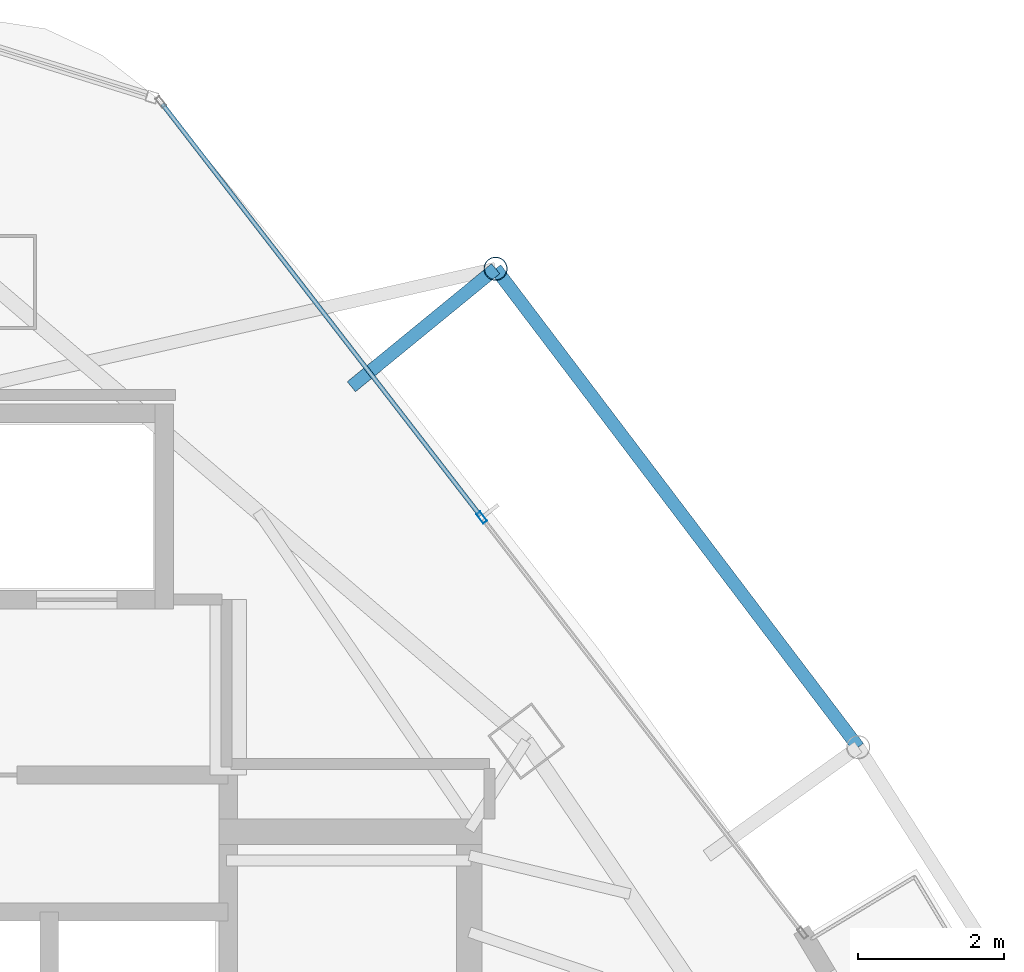
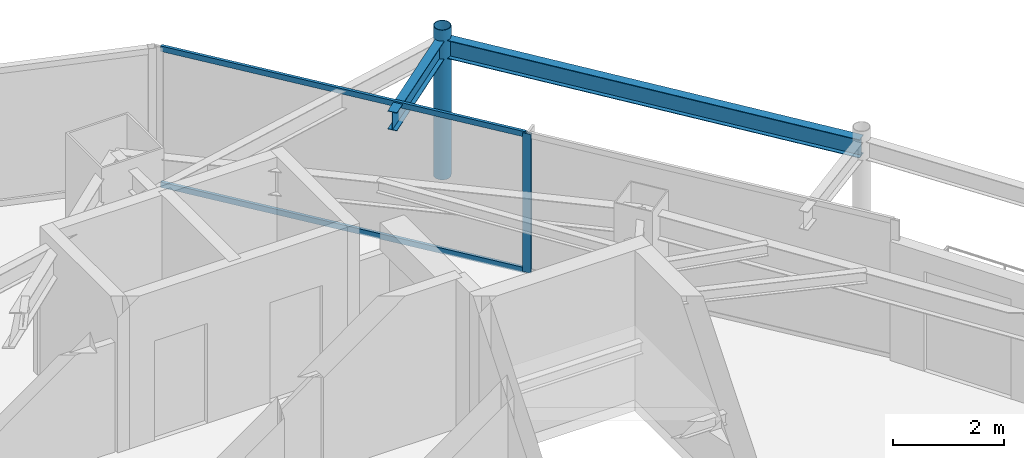
# One storey, part 22 of 29: 4 members, 2 beams, 1 element without a shape of its own.
"""IFC4 building model written with IfcOpenShell, lengths in metres."""

import ifcopenshell
import ifcopenshell.guid

model = None  # the IFC model being written
_history = None  # IfcOwnerHistory: only IFC2X3 demands one
_inside = {}  # id of a spatial element -> (the spatial element, [elements in it])
_under = {}  # id of a project, library or spatial element -> (it, [spatial elements below it])
_declared = {}  # id of a project -> (the project, [libraries it declares])
_typed = {}  # id of a type object -> (the type object, [elements of that type])
_made_of = {}  # id of a material, layer set ... -> (it, [elements and type objects made of it])


def new_model(schema):
    """Start an empty IFC model of exactly this schema.

    Asked for "IFC4X3", IfcOpenShell would pick the latest addendum, in which some entities
    have other attributes; the version numbers below select the first issue.
    IFC2X3 requires an IfcOwnerHistory on every rooted entity: one is made here for all.
    """
    global model, _history
    if schema == "IFC4X3":
        model = ifcopenshell.file(schema_version=(4, 3, 0, 0))
    else:
        model = ifcopenshell.file(schema=schema)
    _inside.clear()
    _under.clear()
    _declared.clear()
    _typed.clear()
    _made_of.clear()
    _history = None
    if model.schema == "IFC2X3":
        org = make("IfcOrganization", Name="unknown")
        user = make(
            "IfcPersonAndOrganization",
            ThePerson=make("IfcPerson", FamilyName="unknown"),
            TheOrganization=org,
        )
        app = make(
            "IfcApplication",
            ApplicationDeveloper=org,
            Version="unknown",
            ApplicationFullName="unknown",
            ApplicationIdentifier="unknown",
        )
        _history = make(
            "IfcOwnerHistory",
            OwningUser=user,
            OwningApplication=app,
            ChangeAction="ADDED",
            CreationDate=0,
        )
    return model


def make(cls, **values):
    """One entity of the class cls with the attributes given. An attribute that is None is left unset."""
    return model.create_entity(
        cls, **{name: value for name, value in values.items() if value is not None}
    )


def rooted(cls, **values):
    """An entity with a GlobalId (a new one), such as an element, a storey or a relation."""
    return make(cls, GlobalId=ifcopenshell.guid.new(), OwnerHistory=_history, **values)


def si_unit(unit_type, name, prefix=None):
    """IfcSIUnit, for example si_unit("LENGTHUNIT", "METRE", prefix="MILLI")."""
    return make("IfcSIUnit", UnitType=unit_type, Prefix=prefix, Name=name)


def assignment(units):
    """IfcUnitAssignment: the units of a project."""
    return None if units is None else make("IfcUnitAssignment", Units=units)


def point(xyz):
    """IfcCartesianPoint."""
    return None if xyz is None else make("IfcCartesianPoint", Coordinates=xyz)


def direction(xyz):
    """IfcDirection."""
    return None if xyz is None else make("IfcDirection", DirectionRatios=xyz)


def frame(location, z_axis=None, x_axis=None):
    """IfcAxis2Placement3D, a coordinate frame: its origin and axes. An axis left out is left unset."""
    return make(
        "IfcAxis2Placement3D",
        Location=point(location),
        Axis=direction(z_axis),
        RefDirection=direction(x_axis),
    )


def frame_2d(location, x_axis=None):
    """IfcAxis2Placement2D, a coordinate frame in the plane: its origin and x axis."""
    return make(
        "IfcAxis2Placement2D", Location=point(location), RefDirection=direction(x_axis)
    )


def origin():
    """The frame at (0, 0, 0) with its axes left unset."""
    return frame((0.0, 0.0, 0.0))


def origin_2d():
    """The frame at (0, 0) in the plane with its x axis left unset."""
    return frame_2d((0.0, 0.0))


def place(relative_to, where):
    """IfcLocalPlacement: puts the frame where relative to a parent placement (None: the world)."""
    return make(
        "IfcLocalPlacement", PlacementRelTo=relative_to, RelativePlacement=where
    )


def context(
    kind, dimensions, precision=None, world=None, true_north=None, identifier=None
):
    """IfcGeometricRepresentationContext, for example the 3D "Model" context."""
    return make(
        "IfcGeometricRepresentationContext",
        ContextIdentifier=identifier,
        ContextType=kind,
        CoordinateSpaceDimension=dimensions,
        Precision=precision,
        WorldCoordinateSystem=world,
        TrueNorth=true_north,
    )


def subcontext(parent, identifier, kind, view, scale=None):
    """IfcGeometricRepresentationSubContext, for example "Body" below "Model"."""
    return make(
        "IfcGeometricRepresentationSubContext",
        ContextIdentifier=identifier,
        ContextType=kind,
        ParentContext=parent,
        TargetScale=scale,
        TargetView=view,
    )


def project(units=None, contexts=None):
    """IfcProject with its units and contexts."""
    return rooted(
        "IfcProject",
        Name="project",
        RepresentationContexts=contexts,
        UnitsInContext=assignment(units),
    )


def spatial(cls, under=None, at=None, **own):
    """A site, building, storey or space (cls), placed at a placement, below another one or the project."""
    s = rooted(cls, ObjectPlacement=at, **own)
    if under is not None:
        _under.setdefault(under.id(), (under, []))[1].append(s)
    return s


def profile(cls, at=None, kind="AREA", **sizes):
    """A parametric profile (cls). Its sizes go by their IFC names, for example OverallWidth=200.0."""
    return make(cls, ProfileType=kind, Position=at, **sizes)


def hollow_rectangle(**sizes):
    """IfcRectangleHollowProfileDef."""
    return profile("IfcRectangleHollowProfileDef", **sizes)


def hollow_circle(**sizes):
    """IfcCircleHollowProfileDef."""
    return profile("IfcCircleHollowProfileDef", **sizes)


def i_section(**sizes):
    """IfcIShapeProfileDef."""
    return profile("IfcIShapeProfileDef", **sizes)


def extrude(swept, where, along, depth):
    """IfcExtrudedAreaSolid: the profile swept, set in the frame where, extruded along a direction by depth."""
    return make(
        "IfcExtrudedAreaSolid",
        SweptArea=swept,
        Position=where,
        ExtrudedDirection=direction(along),
        Depth=depth,
    )


def shape(context_of_items, identifier, shape_type, items):
    """IfcShapeRepresentation: the items that make up one representation, for example the "Body"."""
    return make(
        "IfcShapeRepresentation",
        ContextOfItems=context_of_items,
        RepresentationIdentifier=identifier,
        RepresentationType=shape_type,
        Items=items,
    )


def material(Name=None, Category=None):
    """IfcMaterial."""
    return make("IfcMaterial", Name=Name, Category=Category)


def layer(
    of_material, thickness, ventilated=None, Name=None, Category=None, Priority=None
):
    """IfcMaterialLayer: one layer of a wall or slab, of a material (None: an air gap)."""
    return make(
        "IfcMaterialLayer",
        Material=of_material,
        LayerThickness=thickness,
        IsVentilated=ventilated,
        Name=Name,
        Category=Category,
        Priority=Priority,
    )


def layer_set(layers, Name=None):
    """IfcMaterialLayerSet."""
    return make("IfcMaterialLayerSet", MaterialLayers=layers, LayerSetName=Name)


def material_profile(
    of_material, cross_section, Name=None, Category=None, Priority=None
):
    """IfcMaterialProfile: a cross section and its material."""
    return make(
        "IfcMaterialProfile",
        Name=Name,
        Material=of_material,
        Profile=cross_section,
        Priority=Priority,
        Category=Category,
    )


def profile_set(profiles, Name=None, composite=None):
    """IfcMaterialProfileSet."""
    return make(
        "IfcMaterialProfileSet",
        Name=Name,
        MaterialProfiles=profiles,
        CompositeProfile=composite,
    )


def made_of(thing, what):
    """Note that an element or type object is made of a material, layer set ...; save() writes the relation."""
    if what is not None:
        _made_of.setdefault(what.id(), (what, []))[1].append(thing)
    return thing


def type_object(cls, material=None, **own):
    """A type object (cls), such as IfcWallType, which elements share."""
    return made_of(rooted(cls, **own), material)


def element(
    cls,
    number,
    at=None,
    inside=None,
    cuts=None,
    type_object=None,
    material=None,
    context=None,
    identifier="Body",
    shape_type=None,
    held_by="IfcProductDefinitionShape",
    body=None,
    shapes=None,
    **own,
):
    """One element of the class cls, such as IfcWall. Its Tag is "e" and its number.

    at: its placement. inside: the storey or other place that contains it. cuts: it is an
    opening in that element (IfcRelVoidsElement). A single representation is given by context,
    identifier, shape_type and body (its items); several are given by shapes. held_by: the class
    of the entity that holds the representations. save() writes the other relations.
    """
    e = rooted(cls, Tag="e%d" % number, ObjectPlacement=at, **own)
    if body is not None:
        shapes = [shape(context, identifier, shape_type, body)]
    if shapes is not None:
        e.Representation = make(held_by, Representations=shapes)
    if inside is not None:
        _inside.setdefault(inside.id(), (inside, []))[1].append(e)
    if cuts is not None:
        rooted(
            "IfcRelVoidsElement", RelatingBuildingElement=cuts, RelatedOpeningElement=e
        )
    if type_object is not None:
        _typed.setdefault(type_object.id(), (type_object, []))[1].append(e)
    return made_of(e, material)


def aggregate(whole, parts):
    """IfcRelAggregates: a whole, such as a stair, and the parts it consists of."""
    return rooted("IfcRelAggregates", RelatingObject=whole, RelatedObjects=parts)


def save(model, path):
    """Write the relations noted so far, then the file.

    IfcRelAggregates (storeys below a building ...), IfcRelContainedInSpatialStructure (elements
    in a storey), IfcRelDefinesByType, IfcRelAssociatesMaterial and IfcRelDeclares: one each for
    every whole, place, type object, material and project.
    """
    for whole, parts in _under.values():
        aggregate(whole, parts)
    for where, things in _inside.values():
        rooted(
            "IfcRelContainedInSpatialStructure",
            RelatedElements=things,
            RelatingStructure=where,
        )
    for kind, things in _typed.values():
        rooted("IfcRelDefinesByType", RelatedObjects=things, RelatingType=kind)
    for what, things in _made_of.values():
        rooted("IfcRelAssociatesMaterial", RelatedObjects=things, RelatingMaterial=what)
    for by, libraries in _declared.values():
        rooted("IfcRelDeclares", RelatingContext=by, RelatedDefinitions=libraries)
    model.write(path)


model = new_model("IFC4")

# Units and contexts
model_context = context("Model", 3, precision=1e-05, world=origin(), true_north=direction((0.0, 1.0)))
body_context = subcontext(model_context, "Body", "Model", "MODEL_VIEW")
ifc_project = project(units=[si_unit("LENGTHUNIT", "METRE"), si_unit("AREAUNIT", "SQUARE_METRE"), si_unit("VOLUMEUNIT", "CUBIC_METRE"), si_unit("PLANEANGLEUNIT", "RADIAN"), si_unit("MASSUNIT", "GRAM", prefix="KILO")], contexts=[model_context])

# Site, building, storey
site_placement = place(None, origin())
site = spatial("IfcSite", under=ifc_project, at=site_placement, CompositionType="ELEMENT")
building_placement = place(site_placement, origin())
building = spatial("IfcBuilding", under=site, at=building_placement, Name="Orvanel Arch Residences", CompositionType="ELEMENT")
storey_placement = place(building_placement, frame((0.0, 0.0, 250.25)))
storey = spatial("IfcBuildingStorey", under=building, at=storey_placement, Name="L71", CompositionType="ELEMENT", Elevation=250.25)

# Curtain wall, member
ifc_material_1 = material(Name="Bronze-anodised aluminium AA6063-T6", Category="aluminium")
ifc_layer = layer(ifc_material_1, 0.175048828125)
ifc_layer_set = layer_set([ifc_layer], Name="Bronze-anodised aluminium AA6063-T6")
curtain_wall_type = type_object("IfcCurtainWallType", Name="CW4-HI-SYS", PredefinedType="NOTDEFINED", material=ifc_layer_set)
curtain_wall_placement = place(storey_placement, origin())
curtain_wall = element("IfcCurtainWall", 1, at=curtain_wall_placement, inside=storey, type_object=curtain_wall_type, Name="L71 CW4-HI-SYS Unitised Curtain Wall", PredefinedType="NOTDEFINED")
ifc_material_profile_1 = material_profile(ifc_material_1, hollow_rectangle(XDim=0.06494140625, YDim=0.159912109375, WallThickness=0.00390625, at=origin_2d()), Name="ALU160x65x4")
ifc_profile_set_1 = profile_set([ifc_material_profile_1], Name="Bronze-anodised aluminium AA6063-T6")
member_type_1 = type_object("IfcMemberType", Name="MUL-160x65", PredefinedType="MULLION", material=ifc_profile_set_1)
member_1_placement = place(storey_placement, frame((39.744384765625, 38.174072265625, 0.0), z_axis=(0.0, 0.0, 1.0), x_axis=(-0.791336812136, -0.611380446006, 0.0)))
member_1 = element("IfcMember", 2, at=member_1_placement, type_object=member_type_1, Name="CW-S4 mullion 2", PredefinedType="MULLION", context=body_context, shape_type="SweptSolid", body=[
    extrude(hollow_rectangle(XDim=0.06494140625, YDim=0.159912109375, WallThickness=0.00390625, at=origin_2d()), origin(), (0.0, 0.0, 1.0), 3.06005859375),
])

# Beams
ifc_material_2 = material(Name="Structural steel AS/NZS 3679.1 Grade 300 (300 MPa)", Category="steel")
ifc_material_profile_2 = material_profile(ifc_material_2, i_section(OverallWidth=0.177978515625, OverallDepth=0.406005859375, WebThickness=0.0078125, FlangeThickness=0.0126953125, at=origin_2d()), Name="410UB59.7")
ifc_profile_set_2 = profile_set([ifc_material_profile_2], Name="Structural steel AS/NZS 3679.1 Grade 300 (300 MPa)")
beam_type = type_object("IfcBeamType", Name="OB-410UB-EXT", PredefinedType="SPANDREL", material=ifc_profile_set_2)
beam_1_placement = place(storey_placement, frame((44.89697265625, 35.031005859375, 2.85693359375), z_axis=(-0.604028729674, 0.796962542237, 0.0), x_axis=(-0.796962542237, -0.604028729674, 0.0)))
element("IfcBeam", 3, at=beam_1_placement, inside=storey, type_object=beam_type, Name="L71 Outer Perimeter Floor Ring Beam 11", PredefinedType="SPANDREL", context=body_context, shape_type="SweptSolid", body=[
    extrude(i_section(OverallWidth=0.177978515625, OverallDepth=0.406005859375, WebThickness=0.0078125, FlangeThickness=0.0126953125, at=origin_2d()), origin(), (0.0, 0.0, 1.0), 8.21630859375),
])
beam_2_placement = place(storey_placement, frame((37.9599609375, 39.964111328125, 2.85693359375), z_axis=(0.77399568074, 0.633190876589, 0.0), x_axis=(-0.633190876589, 0.77399568074, 0.0)))
element("IfcBeam", 4, at=beam_2_placement, inside=storey, type_object=beam_type, Name="L71 Outer Frame Radial Tie Beam 12", PredefinedType="SPANDREL", context=body_context, shape_type="SweptSolid", body=[
    extrude(i_section(OverallWidth=0.177978515625, OverallDepth=0.406005859375, WebThickness=0.0078125, FlangeThickness=0.0126953125, at=origin_2d()), origin(), (0.0, 0.0, 1.0), 2.550537109375),
])

# Member
ifc_material_3 = material(Name="Structural steel AS/NZS 1163 C350L0 (Grade 350)", Category="steel")
ifc_material_profile_3 = material_profile(ifc_material_3, hollow_circle(Radius=0.162109375, WallThickness=0.0126953125, at=origin_2d()), Name="CHS324x12.7")
ifc_profile_set_3 = profile_set([ifc_material_profile_3], Name="Structural steel AS/NZS 1163 C350L0 (Grade 350)")
member_type_2 = type_object("IfcMemberType", Name="ST-324CHS-EXT", PredefinedType="STRUT", material=ifc_profile_set_3)
member_2_placement = place(storey_placement, frame((39.93408203125, 41.5791015625, 0.0), z_axis=(0.0, 0.0, 1.0), x_axis=(1.0, 0.0, 0.0)))
element("IfcMember", 5, at=member_2_placement, inside=storey, type_object=member_type_2, Name="L71 Outer Perimeter Frame Post 12", PredefinedType="STRUT", context=body_context, shape_type="SweptSolid", body=[
    extrude(hollow_circle(Radius=0.162109375, WallThickness=0.0126953125, at=origin_2d()), origin(), (0.0, 0.0, 1.0), 3.300048828125),
])

ifc_material_profile_4 = material_profile(ifc_material_1, hollow_rectangle(XDim=0.06005859375, YDim=0.1201171875, WallThickness=0.00341796875, at=origin_2d()), Name="ALU120x60x3.5")
ifc_profile_set_4 = profile_set([ifc_material_profile_4], Name="Bronze-anodised aluminium AA6063-T6")
member_type_3 = type_object("IfcMemberType", Name="TRN-120x60", PredefinedType="USERDEFINED", material=ifc_profile_set_4)
member_3_placement = place(storey_placement, frame((39.724609375, 38.19970703125, 0.030029296875), z_axis=(-0.611375262604, 0.791340816763, 0.0), x_axis=(-0.791340816763, -0.611375262604, 0.0)))
member_3 = element("IfcMember", 6, at=member_3_placement, type_object=member_type_3, Name="CW-S4 transom 2.1", ObjectType="TRANSOM", PredefinedType="USERDEFINED", context=body_context, shape_type="SweptSolid", body=[
    extrude(hollow_rectangle(XDim=0.06005859375, YDim=0.1201171875, WallThickness=0.00341796875, at=origin_2d()), origin(), (0.0, 0.0, 1.0), 7.1181640625),
])

member_4_placement = place(storey_placement, frame((39.724609375, 38.19970703125, 3.030029296875), z_axis=(-0.611375262604, 0.791340816763, 0.0), x_axis=(-0.791340816763, -0.611375262604, 0.0)))
member_4 = element("IfcMember", 7, at=member_4_placement, type_object=member_type_3, Name="CW-S4 transom 2.2", ObjectType="TRANSOM", PredefinedType="USERDEFINED", context=body_context, shape_type="SweptSolid", body=[
    extrude(hollow_rectangle(XDim=0.06005859375, YDim=0.1201171875, WallThickness=0.00341796875, at=origin_2d()), origin(), (0.0, 0.0, 1.0), 7.1181640625),
])

aggregate(curtain_wall, [member_1, member_3, member_4])

save(model, "model.ifc")
